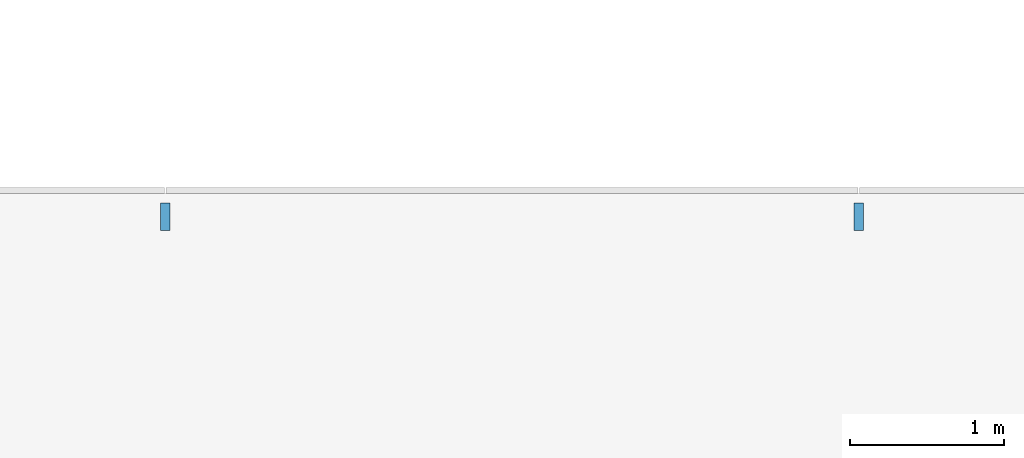
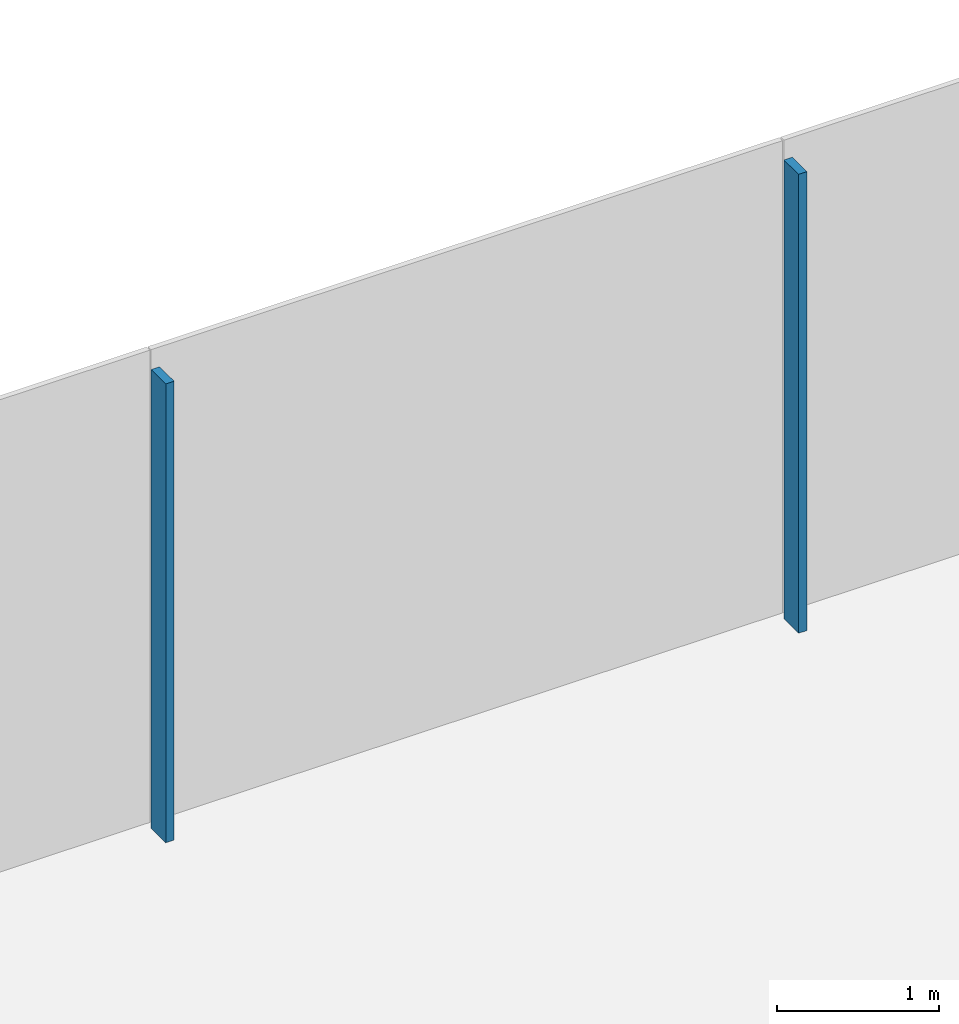
# One storey, part 5 of 20: 2 members, 1 element without a shape of its own.
"""IFC4 building model written with IfcOpenShell, lengths in metres."""

from ifc_helpers import new_model, si_unit, direction, frame, origin, origin_2d, place, context, subcontext, project, spatial, rectangle, extrude, material, layer, layer_set, material_profile, profile_set, type_object, element, aggregate, save


model = new_model("IFC4")

# Units and contexts
model_context = context("Model", 3, precision=1e-05, world=origin(), true_north=direction((0.0, 1.0)))
body_context = subcontext(model_context, "Body", "Model", "MODEL_VIEW")
ifc_project = project(units=[si_unit("LENGTHUNIT", "METRE"), si_unit("AREAUNIT", "SQUARE_METRE"), si_unit("VOLUMEUNIT", "CUBIC_METRE"), si_unit("PLANEANGLEUNIT", "RADIAN"), si_unit("MASSUNIT", "GRAM", prefix="KILO")], contexts=[model_context])

# Site, building, storey
site_placement = place(None, origin())
site = spatial("IfcSite", under=ifc_project, at=site_placement, CompositionType="ELEMENT")
building_placement = place(site_placement, origin())
building = spatial("IfcBuilding", under=site, at=building_placement, Name="Shamsa Quay Exchange Towers", CompositionType="ELEMENT")
storey_placement = place(building_placement, frame((0.0, 0.0, 101.39990234375)))
storey = spatial("IfcBuildingStorey", under=building, at=storey_placement, Name="L23", CompositionType="ELEMENT", Elevation=101.39990234375)

# Curtain wall, members
ifc_material = material(Name="Aluminium EN AW-6063 T6, black anodised", Category="aluminium")
ifc_layer = layer(ifc_material, 0.280029296875)
ifc_layer_set = layer_set([ifc_layer], Name="CW-1 UNITISED VISION GLASS")
curtain_wall_type = type_object("IfcCurtainWallType", Name="CW-1 UNITISED VISION GLASS", PredefinedType="NOTDEFINED", material=ifc_layer_set)
curtain_wall_placement = place(storey_placement, origin())
curtain_wall = element("IfcCurtainWall", 1, at=curtain_wall_placement, inside=storey, type_object=curtain_wall_type, Name="CW1 T1-END-V+ L23", PredefinedType="NOTDEFINED")
ifc_material_profile = material_profile(ifc_material, rectangle(XDim=0.179931640625, YDim=0.06005859375, at=origin_2d()), Name="MU60x180")
ifc_profile_set = profile_set([ifc_material_profile], Name="Aluminium EN AW-6063 T6, black anodised")
member_type = type_object("IfcMemberType", Name="CW1 MULLION 60x180", PredefinedType="MULLION", material=ifc_profile_set)
member_1_placement = place(storey_placement, frame((-31.5, 20.10009765625, 0.0), z_axis=(0.0, 0.0, 1.0), x_axis=(0.0, -1.0, 0.0)))
member_1 = element("IfcMember", 2, at=member_1_placement, type_object=member_type, Name="CW1 mullion", PredefinedType="MULLION", context=body_context, shape_type="SweptSolid", body=[
    extrude(rectangle(XDim=0.179931640625, YDim=0.06005859375, at=origin_2d()), origin(), (0.0, 0.0, 1.0), 3.4501953125),
])
member_2_placement = place(storey_placement, frame((-36.0, 20.10009765625, 0.0), z_axis=(0.0, 0.0, 1.0), x_axis=(0.0, -1.0, 0.0)))
member_2 = element("IfcMember", 3, at=member_2_placement, type_object=member_type, Name="CW1 mullion", PredefinedType="MULLION", context=body_context, shape_type="SweptSolid", body=[
    extrude(rectangle(XDim=0.179931640625, YDim=0.06005859375, at=origin_2d()), origin(), (0.0, 0.0, 1.0), 3.4501953125),
])
aggregate(curtain_wall, [member_1, member_2])

save(model, "model.ifc")
